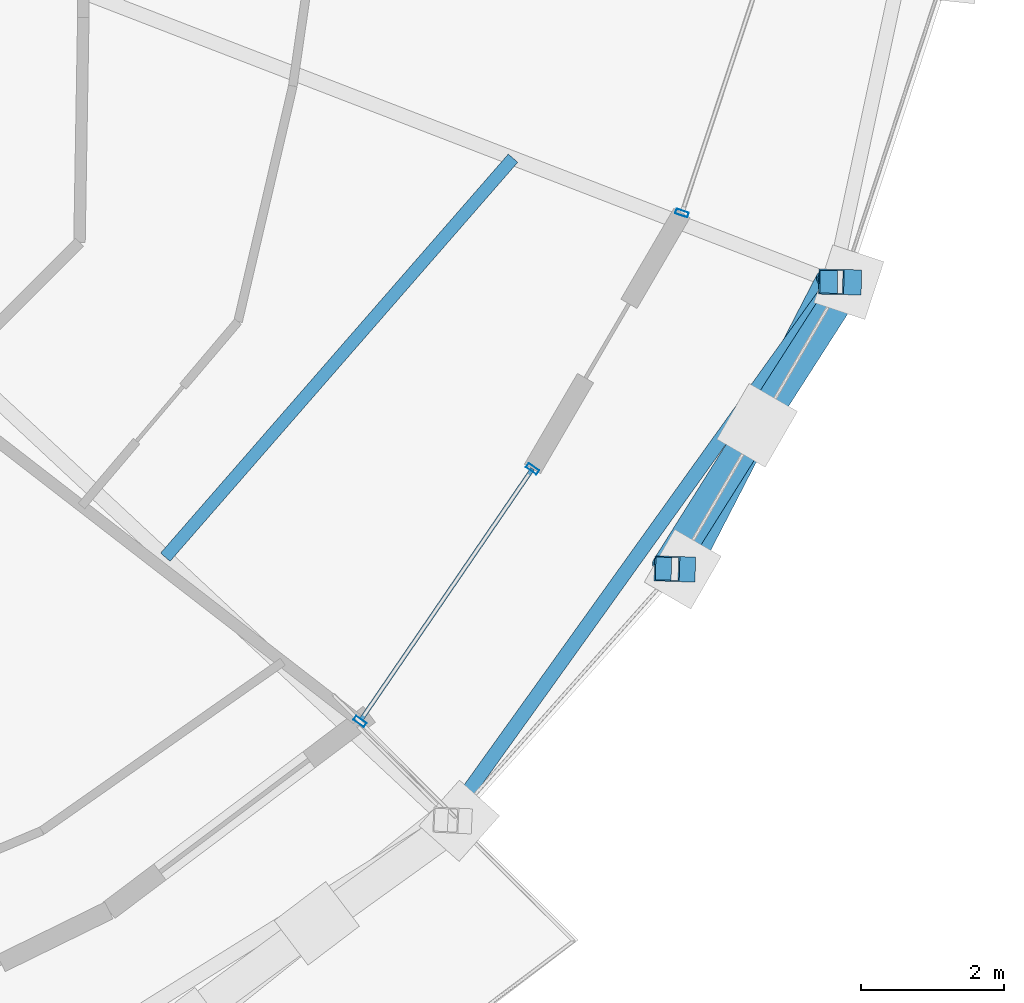
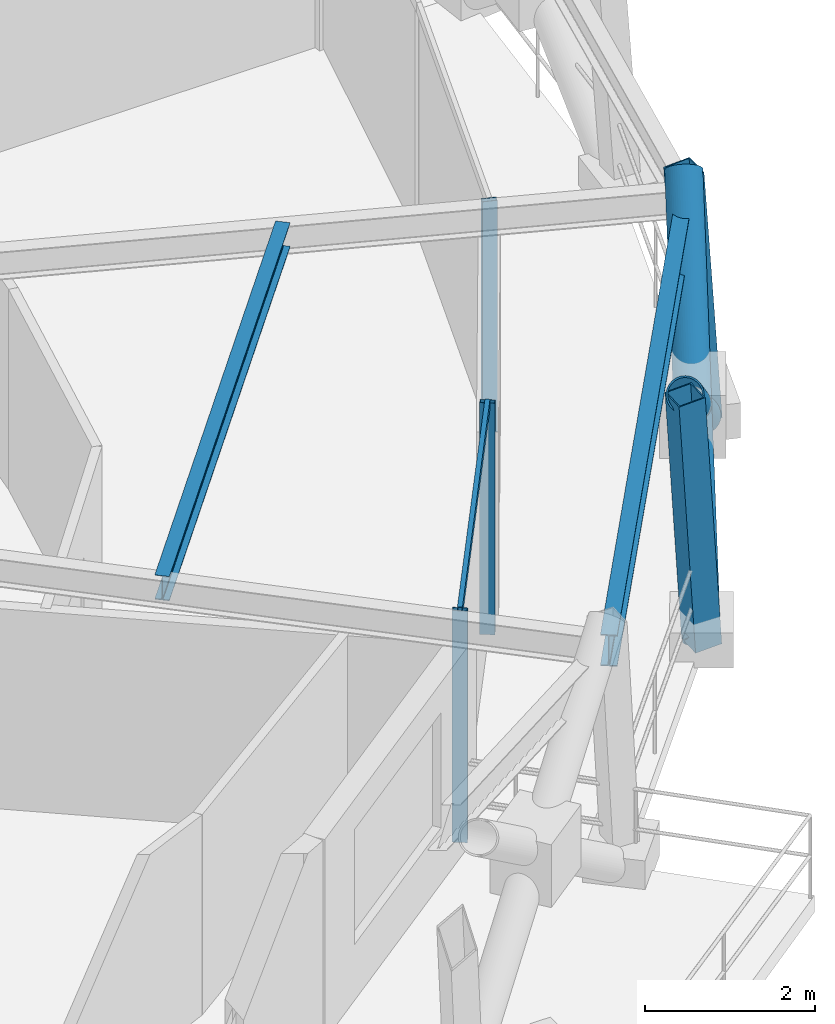
# One storey, part 2 of 12: 9 members, 2 beams, 2 elements without a shape of their own.
"""IFC4 building model written with IfcOpenShell, lengths in metres."""

from ifc_helpers import new_model, si_unit, direction, frame, origin, origin_2d, place, context, subcontext, project, spatial, hollow_rectangle, hollow_circle, i_section, extrude, material, layer, layer_set, material_profile, profile_set, type_object, element, aggregate, save


model = new_model("IFC4")

# Units and contexts
model_context = context("Model", 3, precision=1e-05, world=origin(), true_north=direction((0.0, 1.0)))
body_context = subcontext(model_context, "Body", "Model", "MODEL_VIEW")
ifc_project = project(units=[si_unit("LENGTHUNIT", "METRE"), si_unit("AREAUNIT", "SQUARE_METRE"), si_unit("VOLUMEUNIT", "CUBIC_METRE"), si_unit("PLANEANGLEUNIT", "RADIAN"), si_unit("MASSUNIT", "GRAM", prefix="KILO")], contexts=[model_context])

# Site, building, storey
site_placement = place(None, origin())
site = spatial("IfcSite", under=ifc_project, at=site_placement, CompositionType="ELEMENT")
building_placement = place(site_placement, origin())
building = spatial("IfcBuilding", under=site, at=building_placement, Name="Veldorina Hangang Commons", CompositionType="ELEMENT")
storey_placement = place(building_placement, frame((0.0, 0.0, 222.0)))
storey = spatial("IfcBuildingStorey", under=building, at=storey_placement, Name="L57", CompositionType="ELEMENT", Elevation=222.0)

# Beams
ifc_material_1 = material(Name="Steel SM355-TMC", Category="steel")
ifc_material_profile_1 = material_profile(ifc_material_1, i_section(OverallWidth=0.175048828125, OverallDepth=0.35009765625, WebThickness=0.007080078125, FlangeThickness=0.010986328125, FilletRadius=0.012939453125, at=origin_2d()), Name="H-350x175x7x11")
ifc_profile_set_1 = profile_set([ifc_material_profile_1], Name="Steel SM355-TMC")
beam_type_1 = type_object("IfcBeamType", Name="BM-JST350", PredefinedType="JOIST", material=ifc_profile_set_1)
beam_1_placement = place(storey_placement, frame((45.623779296875, 11.303955078125, 3.18505859375), z_axis=(0.657028228542, 0.753865974096, 0.0), x_axis=(-0.753865974096, 0.657028228542, 0.0)))
element("IfcBeam", 1, at=beam_1_placement, inside=storey, type_object=beam_type_1, Name="L57 secondary floor joist 15", PredefinedType="JOIST", context=body_context, shape_type="SweptSolid", body=[
    extrude(i_section(OverallWidth=0.175048828125, OverallDepth=0.35009765625, WebThickness=0.007080078125, FlangeThickness=0.010986328125, FilletRadius=0.012939453125, at=origin_2d()), origin(), (0.0, 0.0, 1.0), 7.3818359375),
])
ifc_material_profile_2 = material_profile(ifc_material_1, i_section(OverallWidth=0.199951171875, OverallDepth=0.449951171875, WebThickness=0.009033203125, FlangeThickness=0.013916015625, FilletRadius=0.01611328125, at=origin_2d()), Name="H-450x200x9x14")
ifc_profile_set_2 = profile_set([ifc_material_profile_2], Name="Steel SM355-TMC")
beam_type_2 = type_object("IfcBeamType", Name="BM-RB450", PredefinedType="BEAM", material=ifc_profile_set_2)
beam_2_placement = place(storey_placement, frame((49.560791015625, 7.634765625, 3.135009765625), z_axis=(0.582692054183, 0.812693035526, 0.0), x_axis=(-0.812693035526, 0.582692054183, 0.0)))
element("IfcBeam", 2, at=beam_2_placement, inside=storey, type_object=beam_type_2, Name="L57 perimeter hoop ring beam 28", PredefinedType="BEAM", context=body_context, shape_type="SweptSolid", body=[
    extrude(i_section(OverallWidth=0.199951171875, OverallDepth=0.449951171875, WebThickness=0.009033203125, FlangeThickness=0.013916015625, FilletRadius=0.01611328125, at=origin_2d()), origin(), (0.0, 0.0, 1.0), 9.239013671875),
])

# Curtain wall, members
ifc_material_2 = material(Name="Glass Low-E Selective", Category="glass")
ifc_layer = layer(ifc_material_2, 0.179931640625)
ifc_layer_set = layer_set([ifc_layer], Name="Glass Low-E Selective")
curtain_wall_type = type_object("IfcCurtainWallType", Name="CW-SYS-Z3", PredefinedType="NOTDEFINED", material=ifc_layer_set)
curtain_wall_1_placement = place(storey_placement, origin())
curtain_wall_1 = element("IfcCurtainWall", 3, at=curtain_wall_1_placement, inside=storey, type_object=curtain_wall_type, Name="L57 unitised curtain wall CW-L57-R1", PredefinedType="NOTDEFINED")
ifc_material_3 = material(Name="Aluminium Anodized AA6063-T6", Category="aluminium")
ifc_material_profile_3 = material_profile(ifc_material_3, hollow_rectangle(XDim=0.070068359375, YDim=0.179931640625, WallThickness=0.00390625, at=origin_2d()), Name="ALU-RHS-180x70x4")
ifc_profile_set_3 = profile_set([ifc_material_profile_3], Name="Aluminium Anodized AA6063-T6")
member_type_1 = type_object("IfcMemberType", Name="CW-MUL-180", PredefinedType="MULLION", material=ifc_profile_set_3)
member_1_placement = place(storey_placement, frame((48.338134765625, 9.01318359375, 0.0), z_axis=(0.0, 0.0, 1.0), x_axis=(0.564261150491, 0.825596362665, 0.0)))
member_1 = element("IfcMember", 4, at=member_1_placement, type_object=member_type_1, Name="CW-L57-R1 vertical mullion 1", PredefinedType="MULLION", context=body_context, shape_type="SweptSolid", body=[
    extrude(hollow_rectangle(XDim=0.070068359375, YDim=0.179931640625, WallThickness=0.00390625, at=origin_2d()), origin(), (0.0, 0.0, 1.0), 3.320068359375),
])
member_2_placement = place(storey_placement, frame((50.745849609375, 12.5361328125, 0.0), z_axis=(0.0, 0.0, 1.0), x_axis=(-0.564261150491, -0.825596362665, 0.0)))
member_2 = element("IfcMember", 5, at=member_2_placement, type_object=member_type_1, Name="CW-L57-R1 vertical mullion 2", PredefinedType="MULLION", context=body_context, shape_type="SweptSolid", body=[
    extrude(hollow_rectangle(XDim=0.070068359375, YDim=0.179931640625, WallThickness=0.00390625, at=origin_2d()), origin(), (0.0, 0.0, 1.0), 3.320068359375),
])

# Curtain wall, member
curtain_wall_2_placement = place(storey_placement, origin())
curtain_wall_2 = element("IfcCurtainWall", 6, at=curtain_wall_2_placement, inside=storey, type_object=curtain_wall_type, Name="L57 unitised curtain wall CW-L57-R2", PredefinedType="NOTDEFINED")
member_3_placement = place(storey_placement, frame((52.829345703125, 16.103515625, 0.0), z_axis=(0.0, 0.0, 1.0), x_axis=(0.314622069686, 0.949217021163, 0.0)))
member_3 = element("IfcMember", 7, at=member_3_placement, type_object=member_type_1, Name="CW-L57-R2 vertical mullion 1", PredefinedType="MULLION", context=body_context, shape_type="SweptSolid", body=[
    extrude(hollow_rectangle(XDim=0.070068359375, YDim=0.179931640625, WallThickness=0.00390625, at=origin_2d()), origin(), (0.0, 0.0, 1.0), 3.320068359375),
])
aggregate(curtain_wall_2, [member_3])

# Member
ifc_material_profile_4 = material_profile(ifc_material_3, hollow_rectangle(XDim=0.06005859375, YDim=0.139892578125, WallThickness=0.00341796875, at=origin_2d()), Name="ALU-RHS-140x60x3.5")
ifc_profile_set_4 = profile_set([ifc_material_profile_4], Name="Aluminium Anodized AA6063-T6")
member_type_2 = type_object("IfcMemberType", Name="CW-TRN-140", PredefinedType="USERDEFINED", material=ifc_profile_set_4)
member_4_placement = place(storey_placement, frame((48.338134765625, 9.01318359375, 3.280029296875), z_axis=(0.564249007318, 0.825604661894, 0.0), x_axis=(-0.825604661894, 0.564249007318, 0.0)))
member_4 = element("IfcMember", 8, at=member_4_placement, type_object=member_type_2, Name="CW-L57-R1 facet 1 transom 1", ObjectType="TRANSOM", PredefinedType="USERDEFINED", context=body_context, shape_type="SweptSolid", body=[
    extrude(hollow_rectangle(XDim=0.06005859375, YDim=0.139892578125, WallThickness=0.00341796875, at=origin_2d()), origin(), (0.0, 0.0, 1.0), 4.26708984375),
])

aggregate(curtain_wall_1, [member_1, member_2, member_4])

# Members
ifc_material_profile_5 = material_profile(ifc_material_1, hollow_circle(Radius=0.22509765625, WallThickness=0.02197265625, at=origin_2d()), Name="CHS-450x22")
ifc_profile_set_5 = profile_set([ifc_material_profile_5], Name="Steel SM355-TMC")
member_type_3 = type_object("IfcMemberType", Name="DG-CHS450", PredefinedType="BRACE", material=ifc_profile_set_5)
member_5_placement = place(storey_placement, frame((52.84130859375, 11.135986328125, 0.0), z_axis=(0.35890140442, 0.694369529164, 0.623731303427), x_axis=(-0.888350862565, 0.459165269789, 0.0)))
element("IfcMember", 9, at=member_5_placement, inside=storey, type_object=member_type_3, Name="L57 continuous perimeter diagrid brace 29", PredefinedType="BRACE", context=body_context, shape_type="SweptSolid", body=[
    extrude(hollow_circle(Radius=0.22509765625, WallThickness=0.02197265625, at=origin_2d()), origin(), (0.0, 0.0, 1.0), 5.77197265625),
])
member_6_placement = place(storey_placement, frame((55.157470703125, 15.13916015625, 0.0), z_axis=(-0.429391756504, -0.670238068189, 0.605312854148), x_axis=(0.842020680955, -0.539445245455, 0.0)))
element("IfcMember", 10, at=member_6_placement, inside=storey, type_object=member_type_3, Name="L57 split perimeter diagrid lower brace 30", PredefinedType="BRACE", context=body_context, shape_type="SweptSolid", body=[
    extrude(hollow_circle(Radius=0.22509765625, WallThickness=0.02197265625, at=origin_2d()), origin(), (0.0, 0.0, 1.0), 2.978271484375),
])
member_7_placement = place(storey_placement, frame((53.878662109375, 13.14306640625, 1.802734375), z_axis=(-0.423681636048, -0.673762353288, 0.605423952753), x_axis=(0.846538107357, -0.532328125119, 0.0)))
element("IfcMember", 11, at=member_7_placement, inside=storey, type_object=member_type_3, Name="L57 split perimeter diagrid upper brace 30", PredefinedType="BRACE", context=body_context, shape_type="SweptSolid", body=[
    extrude(hollow_circle(Radius=0.22509765625, WallThickness=0.02197265625, at=origin_2d()), origin(), (0.0, 0.0, 1.0), 2.96875),
])
ifc_material_profile_6 = material_profile(ifc_material_1, hollow_rectangle(XDim=0.35009765625, YDim=0.35009765625, WallThickness=0.01611328125, at=origin_2d()), Name="SHS-350x350x16")
ifc_profile_set_6 = profile_set([ifc_material_profile_6], Name="Steel SM355-TMC")
member_type_4 = type_object("IfcMemberType", Name="STR-SHS350", PredefinedType="STRUT", material=ifc_profile_set_6)
member_8_placement = place(storey_placement, frame((52.84130859375, 11.135986328125, 0.0), z_axis=(-0.061122339597, 0.001895266344, 0.998128482495), x_axis=(-0.030992856002, -0.999519606049, 0.0)))
element("IfcMember", 12, at=member_8_placement, inside=storey, type_object=member_type_4, Name="L57 perimeter ring node post 29", PredefinedType="STRUT", context=body_context, shape_type="SweptSolid", body=[
    extrude(hollow_rectangle(XDim=0.35009765625, YDim=0.35009765625, WallThickness=0.01611328125, at=origin_2d()), origin(), (0.0, 0.0, 1.0), 3.60693359375),
])
member_9_placement = place(storey_placement, frame((55.157470703125, 15.13916015625, 0.0), z_axis=(-0.067794242006, 0.001285519559, 0.997698495634), x_axis=(-0.018958667762, -0.999820268307, 0.0)))
element("IfcMember", 13, at=member_9_placement, inside=storey, type_object=member_type_4, Name="L57 perimeter ring node post 30", PredefinedType="STRUT", context=body_context, shape_type="SweptSolid", body=[
    extrude(hollow_rectangle(XDim=0.35009765625, YDim=0.35009765625, WallThickness=0.01611328125, at=origin_2d()), origin(), (0.0, 0.0, 1.0), 3.6083984375),
])

save(model, "model.ifc")
